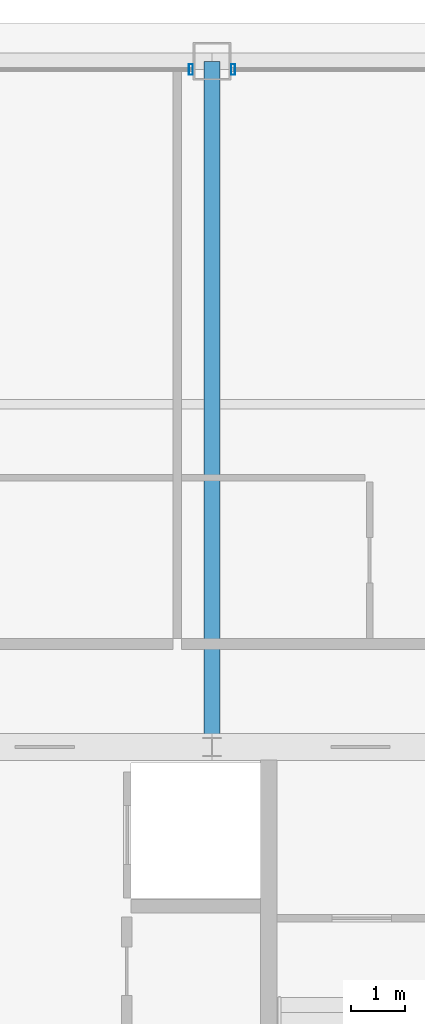
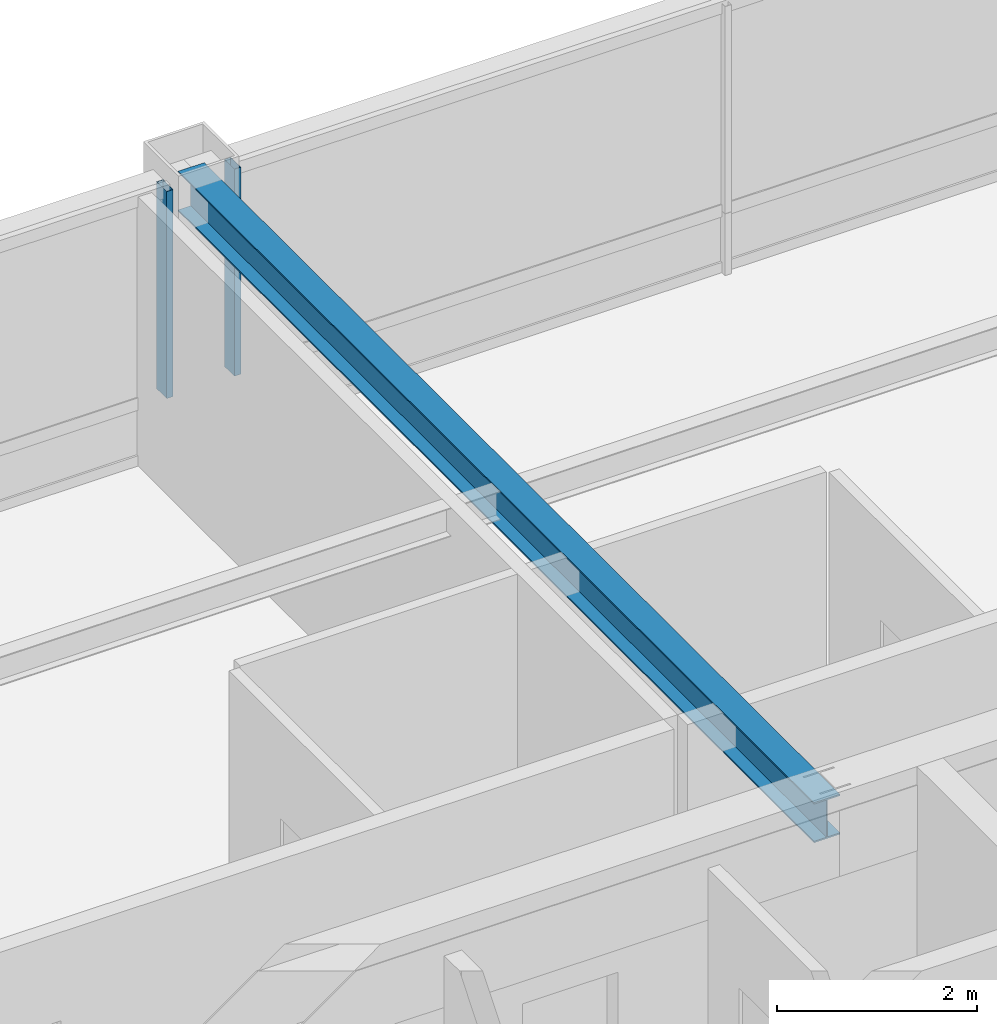
# One storey, part 17 of 34: 2 members, 1 beam, 2 elements without a shape of their own.
"""IFC4 building model written with IfcOpenShell, lengths in metres."""

from ifc_helpers import new_model, si_unit, direction, frame, origin, origin_2d, place, context, subcontext, project, spatial, hollow_rectangle, i_section, extrude, source, transform, mapped, material, layer, layer_set, material_profile, profile_set, type_object, element, aggregate, save


model = new_model("IFC4")

# Units and contexts
model_context = context("Model", 3, precision=1e-05, world=origin(), true_north=direction((0.0, 1.0)))
body_context = subcontext(model_context, "Body", "Model", "MODEL_VIEW")
ifc_project = project(units=[si_unit("LENGTHUNIT", "METRE"), si_unit("AREAUNIT", "SQUARE_METRE"), si_unit("VOLUMEUNIT", "CUBIC_METRE"), si_unit("PLANEANGLEUNIT", "RADIAN"), si_unit("MASSUNIT", "GRAM", prefix="KILO"), si_unit("THERMODYNAMICTEMPERATUREUNIT", "KELVIN"), si_unit("POWERUNIT", "WATT")], contexts=[model_context])

# Site, building, storey
site_placement = place(None, origin())
site = spatial("IfcSite", under=ifc_project, at=site_placement, CompositionType="ELEMENT")
building_placement = place(site_placement, origin())
building = spatial("IfcBuilding", under=site, at=building_placement, Name="Yuzanri Waterfront Tower", CompositionType="ELEMENT")
storey_placement = place(building_placement, frame((0.0, 0.0, 328.699951171875)))
storey = spatial("IfcBuildingStorey", under=building, at=storey_placement, Name="L88", CompositionType="ELEMENT", Elevation=328.699951171875)

# Beam
ifc_material_1 = material(Name="Steel Q355B", Category="steel")
ifc_material_profile_1 = material_profile(ifc_material_1, i_section(OverallWidth=0.300048828125, OverallDepth=0.488037109375, WebThickness=0.010986328125, FlangeThickness=0.01806640625, at=origin_2d()), Name="HM 488x300x11x18")
ifc_profile_set_1 = profile_set([ifc_material_profile_1], Name="Steel Q355B")
beam_type = type_object("IfcBeamType", Name="Primary Floor Girder Q355B HM 488x300", PredefinedType="BEAM", material=ifc_profile_set_1)
shared_shape_1 = source(origin(), body_context, "Body", "SweptSolid", [
    extrude(i_section(OverallWidth=0.300048828125, OverallDepth=0.488037109375, WebThickness=0.010986328125, FlangeThickness=0.01806640625, at=origin_2d()), origin(), (0.0, 0.0, 1.0), 12.699951171875),
])
beam_placement = place(storey_placement, frame((37.0, 32.199951171875, 3.0361328125), z_axis=(0.0, 1.0, 0.0), x_axis=(-1.0, 0.0, 0.0)))
element("IfcBeam", 1, at=beam_placement, inside=storey, type_object=beam_type, Name="L88 North Grid Girder", PredefinedType="BEAM", context=body_context, shape_type="MappedRepresentation", body=[
    mapped(shared_shape_1, transform((0.0, 0.0, 0.0), scale=1.0)),
])

# Curtain wall, member
ifc_material_2 = material(Name="Anodized Architectural Bronze", Category="metal")
ifc_layer = layer(ifc_material_2, 0.159912109375)
ifc_layer_set = layer_set([ifc_layer], Name="Anodized Architectural Bronze")
curtain_wall_type = type_object("IfcCurtainWallType", Name="Anodized Bronze High-Rise Penthouse High-Wind Unitized Curtain Wall 6900", PredefinedType="NOTDEFINED", material=ifc_layer_set)
curtain_wall_1_placement = place(storey_placement, origin())
curtain_wall_1 = element("IfcCurtainWall", 2, at=curtain_wall_1_placement, inside=storey, type_object=curtain_wall_type, Name="L88 Curtain Wall CW-L88-NL", PredefinedType="NOTDEFINED")
ifc_material_3 = material(Name="Anodized Architectural Bronze", Category="metal")
ifc_material_profile_2 = material_profile(ifc_material_3, hollow_rectangle(XDim=0.074951171875, YDim=0.199951171875, WallThickness=0.00390625, at=origin_2d()), Name="CWM 75x200")
ifc_profile_set_2 = profile_set([ifc_material_profile_2], Name="Anodized Architectural Bronze")
member_type = type_object("IfcMemberType", Name="Anodized Bronze Primary Curtain-Wall Mullion 75x200", PredefinedType="MULLION", material=ifc_profile_set_2)
shared_shape_2 = source(origin(), body_context, "Body", "SweptSolid", [
    extrude(hollow_rectangle(XDim=0.074951171875, YDim=0.199951171875, WallThickness=0.00390625, at=origin_2d()), origin(), (0.0, 0.0, 1.0), 2.52392578125),
])
member_1_placement = place(storey_placement, frame((36.610107421875, 44.75, 0.756103515625), z_axis=(0.0, 0.0, 1.0), x_axis=(1.0, 0.0, 0.0)))
member_1 = element("IfcMember", 3, at=member_1_placement, type_object=member_type, Name="CW-L88-NL Upper Mullion 02", PredefinedType="MULLION", context=body_context, shape_type="MappedRepresentation", body=[
    mapped(shared_shape_2, transform((0.0, 0.0, 0.0), scale=1.0)),
])
aggregate(curtain_wall_1, [member_1])

curtain_wall_2_placement = place(storey_placement, origin())
curtain_wall_2 = element("IfcCurtainWall", 4, at=curtain_wall_2_placement, inside=storey, type_object=curtain_wall_type, Name="L88 Curtain Wall CW-L88-NR", PredefinedType="NOTDEFINED")
member_2_placement = place(storey_placement, frame((37.389892578125, 44.75, 0.756103515625), z_axis=(0.0, 0.0, 1.0), x_axis=(1.0, 0.0, 0.0)))
member_2 = element("IfcMember", 5, at=member_2_placement, type_object=member_type, Name="CW-L88-NR Upper Mullion 00", PredefinedType="MULLION", context=body_context, shape_type="MappedRepresentation", body=[
    mapped(shared_shape_2, transform((0.0, 0.0, 0.0), scale=1.0)),
])
aggregate(curtain_wall_2, [member_2])

save(model, "model.ifc")
